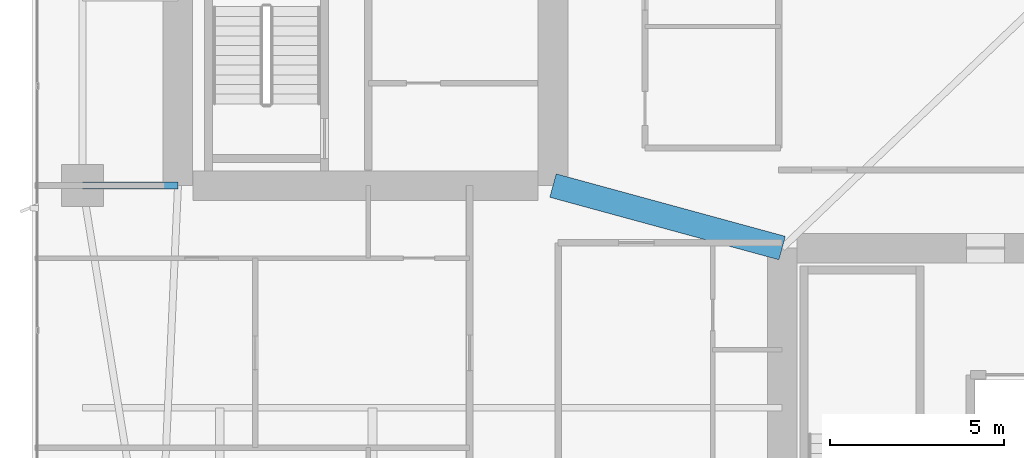
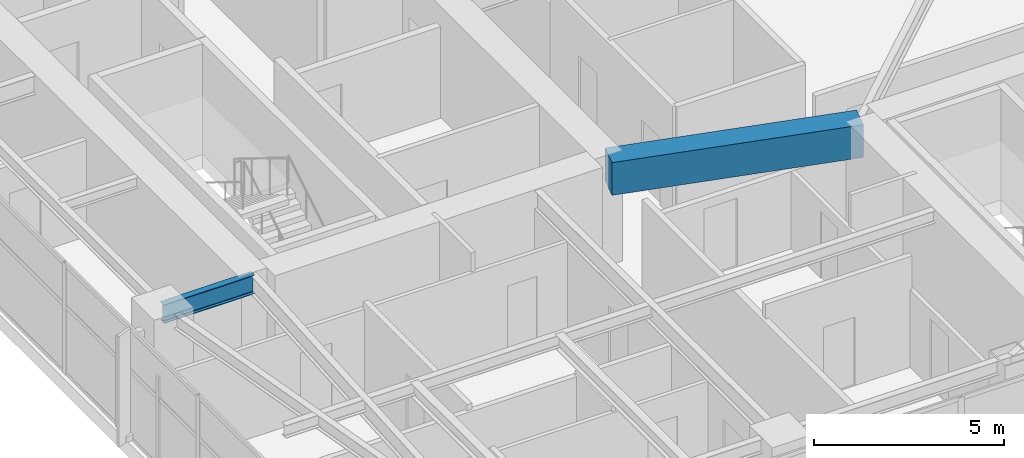
# One storey, part 8 of 30: 2 beams.
"""IFC4 building model written with IfcOpenShell, lengths in metres."""

from ifc_helpers import new_model, si_unit, direction, frame, origin, origin_2d, place, context, subcontext, project, spatial, rectangle, i_section, extrude, material, material_profile, profile_set, type_object, element, save


model = new_model("IFC4")

# Units and contexts
model_context = context("Model", 3, precision=1e-05, world=origin(), true_north=direction((0.0, 1.0)))
body_context = subcontext(model_context, "Body", "Model", "MODEL_VIEW")
ifc_project = project(units=[si_unit("LENGTHUNIT", "METRE"), si_unit("AREAUNIT", "SQUARE_METRE"), si_unit("VOLUMEUNIT", "CUBIC_METRE"), si_unit("PLANEANGLEUNIT", "RADIAN"), si_unit("MASSUNIT", "GRAM", prefix="KILO")], contexts=[model_context])

# Site, building, storey
site_placement = place(None, origin())
site = spatial("IfcSite", under=ifc_project, at=site_placement, CompositionType="ELEMENT")
building_placement = place(site_placement, origin())
building = spatial("IfcBuilding", under=site, at=building_placement, Name="Calvorn Quay Hotel", CompositionType="ELEMENT")
storey_placement = place(building_placement, frame((0.0, 0.0, 191.300048828125)))
storey = spatial("IfcBuildingStorey", under=building, at=storey_placement, Name="L47", CompositionType="ELEMENT", Elevation=191.300048828125)

# Beams
ifc_material_1 = material(Name="Steel Q355B", Category="steel")
ifc_material_profile_1 = material_profile(ifc_material_1, i_section(OverallWidth=0.199951171875, OverallDepth=0.60009765625, WebThickness=0.010986328125, FlangeThickness=0.01708984375, FilletRadius=0.01806640625, at=origin_2d()), Name="HN600x200x11x17")
ifc_profile_set_1 = profile_set([ifc_material_profile_1], Name="Steel Q355B")
beam_type_1 = type_object("IfcBeamType", Name="BM-GIRD-TYP", PredefinedType="BEAM", material=ifc_profile_set_1)
beam_1_placement = place(storey_placement, frame((1.449951171875, 16.800048828125, 3.239990234375), z_axis=(1.0, 0.0, 0.0), x_axis=(0.0, 1.0, 0.0)))
element("IfcBeam", 1, at=beam_1_placement, inside=storey, type_object=beam_type_1, Name="Beam BG-L47-W1", PredefinedType="BEAM", context=body_context, shape_type="SweptSolid", body=[
    extrude(i_section(OverallWidth=0.199951171875, OverallDepth=0.60009765625, WebThickness=0.010986328125, FlangeThickness=0.01708984375, FilletRadius=0.01806640625, at=origin_2d()), origin(), (0.0, 0.0, 1.0), 2.75),
])
ifc_material_2 = material(Name="Concrete C50", Category="concrete")
ifc_material_profile_2 = material_profile(ifc_material_2, rectangle(XDim=0.699951171875, YDim=1.050048828125, at=origin_2d()), Name="RCB700x1050")
ifc_profile_set_2 = profile_set([ifc_material_profile_2], Name="Concrete C50")
beam_type_2 = type_object("IfcBeamType", Name="BM-RC-LINK-700x1050", PredefinedType="BEAM", material=ifc_profile_set_2)
beam_2_placement = place(storey_placement, frame((15.0, 16.800048828125, 3.014892578125), z_axis=(0.964762997686, -0.263120425462, 0.0), x_axis=(0.263120425462, 0.964762997686, 0.0)))
element("IfcBeam", 2, at=beam_2_placement, inside=storey, type_object=beam_type_2, Name="Beam BCL-L47-01", PredefinedType="BEAM", context=body_context, shape_type="SweptSolid", body=[
    extrude(rectangle(XDim=0.699951171875, YDim=1.050048828125, at=origin_2d()), origin(), (0.0, 0.0, 1.0), 6.841064453125),
])

save(model, "model.ifc")
